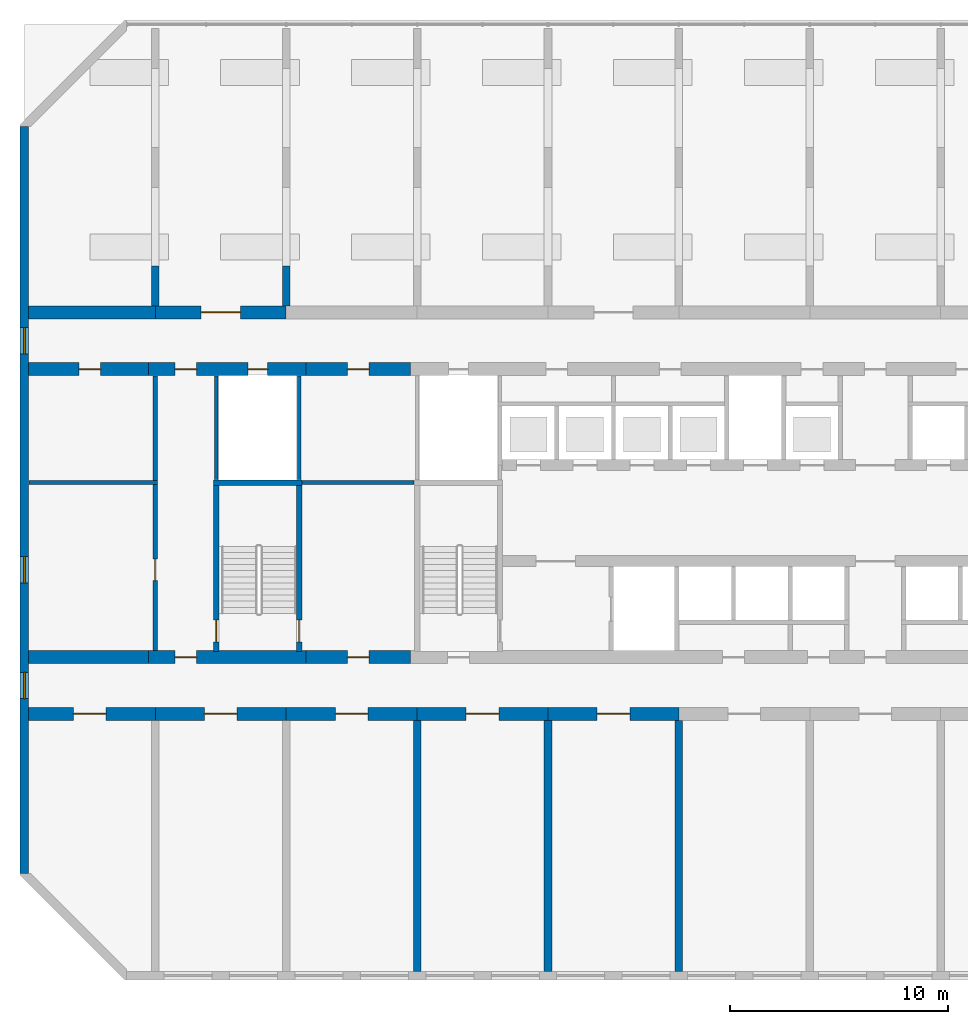
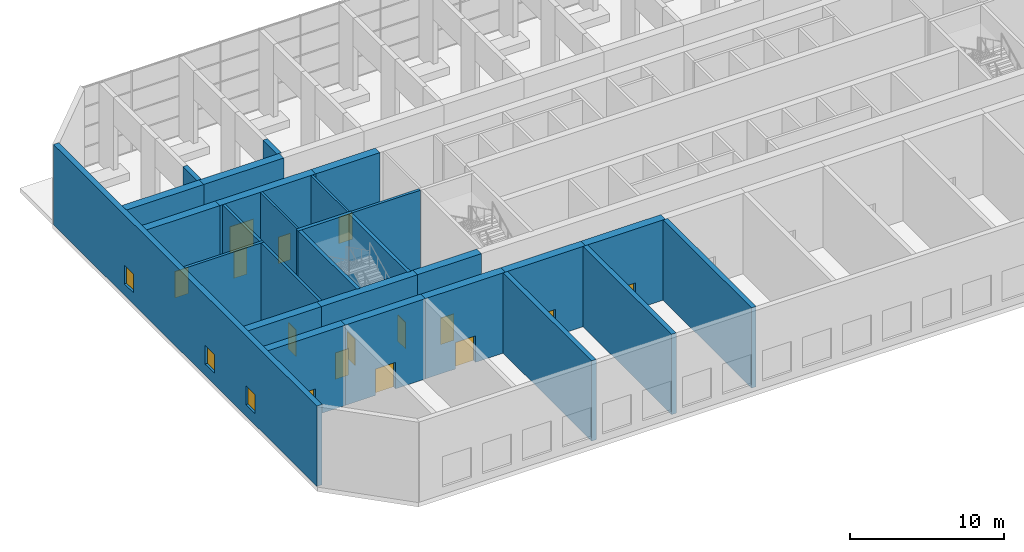
# One storey, part 6 of 16: 28 walls, 15 doors, 3 windows, 18 openings.
"""IFC4 building model written with IfcOpenShell, lengths in metres."""

from ifc_helpers import new_model, si_unit, direction, frame, frame_2d, origin, place, context, subcontext, project, spatial, rectangle, extrude, material, layer, layer_set, type_object, element, fill, save


model = new_model("IFC4")

# Units and contexts
model_context = context("Model", 3, precision=1e-05, world=origin(), true_north=direction((0.0, 1.0)))
body_context = subcontext(model_context, "Body", "Model", "MODEL_VIEW")
ifc_project = project(units=[si_unit("LENGTHUNIT", "METRE"), si_unit("AREAUNIT", "SQUARE_METRE"), si_unit("VOLUMEUNIT", "CUBIC_METRE"), si_unit("PLANEANGLEUNIT", "RADIAN"), si_unit("MASSUNIT", "GRAM", prefix="KILO")], contexts=[model_context])

# Site, building, storey
site_placement = place(None, origin())
site = spatial("IfcSite", under=ifc_project, at=site_placement, CompositionType="ELEMENT")
building_placement = place(site_placement, origin())
building = spatial("IfcBuilding", under=site, at=building_placement, Name="Poui Terraces", CompositionType="ELEMENT")
storey_placement = place(building_placement, frame((0.0, 0.0, 115.800048828125)))
storey = spatial("IfcBuildingStorey", under=building, at=storey_placement, Name="L32", CompositionType="ELEMENT", Elevation=115.800048828125)

# Wall, opening, door
ifc_material_1 = material(Name="Concrete 65 MPa", Category="concrete")
ifc_layer_1 = layer(ifc_material_1, 0.60009765625)
ifc_layer_set_1 = layer_set([ifc_layer_1], Name="Concrete 65 MPa")
wall_type_1 = type_object("IfcWallType", Name="BELT WALL 600 65MPa", PredefinedType="SHEAR", material=ifc_layer_set_1)
wall_1_placement = place(storey_placement, frame((12.199951171875, 12.0, 0.0), z_axis=(0.0, 0.0, 1.0), x_axis=(1.0, 0.0, 0.0)))
wall_1 = element("IfcWall", 1, at=wall_1_placement, inside=storey, type_object=wall_type_1, Name="BELT WALL LINE B BAY 1", PredefinedType="SHEAR", context=body_context, shape_type="SweptSolid", body=[
    extrude(rectangle(XDim=5.800048828125, YDim=0.60009765625, at=frame_2d((2.89990234375, 0.0))), origin(), (0.0, 0.0, 1.0), 6.369873046875),
])
opening_1_placement = place(wall_1_placement, frame((2.050048828125, 0.0, 0.0)))
opening_1 = element("IfcOpeningElement", 2, at=opening_1_placement, cuts=wall_1, Name="Opening FDP", PredefinedType="OPENING", context=body_context, shape_type="SweptSolid", body=[
    extrude(rectangle(XDim=1.5, YDim=2.10009765625, at=frame_2d((0.75, 1.050048828125))), frame((0.0, 0.31005859375, 0.0), z_axis=(0.0, -1.0, 0.0), x_axis=(1.0, 0.0, 0.0)), (0.0, 0.0, 1.0), 0.6201171875),
])
ifc_material_2 = material(Name="Steel fire door", Category="steel")
door_type_1 = type_object("IfcDoorType", Name="PLANT ROOM DOOR PAIR 1500 X 2100", OperationType="DOUBLE_DOOR_SINGLE_SWING", PredefinedType="DOOR", material=ifc_material_2)
door_1_placement = place(opening_1_placement, origin())
door_1 = element("IfcDoor", 3, at=door_1_placement, inside=storey, type_object=door_type_1, Name="PLANT ROOM DOOR PAIR 022", OperationType="DOUBLE_DOOR_SINGLE_SWING", OverallHeight=2.10009765625, OverallWidth=1.5, PredefinedType="DOOR", context=body_context, shape_type="SweptSolid", body=[
    extrude(rectangle(XDim=1.5, YDim=2.10009765625, at=frame_2d((0.75, 1.050048828125))), frame((0.0, 0.02490234375, 0.0), z_axis=(0.0, -1.0, 0.0), x_axis=(1.0, 0.0, 0.0)), (0.0, 0.0, 1.0), 0.050048828125),
])
fill(opening_1, door_1)

wall_2_placement = place(storey_placement, frame((18.0, 12.0, 0.0), z_axis=(0.0, 0.0, 1.0), x_axis=(1.0, 0.0, 0.0)))
wall_2 = element("IfcWall", 4, at=wall_2_placement, inside=storey, type_object=wall_type_1, Name="BELT WALL LINE B BAY 2", PredefinedType="SHEAR", context=body_context, shape_type="SweptSolid", body=[
    extrude(rectangle(XDim=6.0, YDim=0.60009765625, at=frame_2d((3.0, 0.0))), origin(), (0.0, 0.0, 1.0), 6.369873046875),
])
opening_2_placement = place(wall_2_placement, frame((2.25, 0.0, 0.0)))
opening_2 = element("IfcOpeningElement", 5, at=opening_2_placement, cuts=wall_2, Name="Opening FDP", PredefinedType="OPENING", context=body_context, shape_type="SweptSolid", body=[
    extrude(rectangle(XDim=1.5, YDim=2.10009765625, at=frame_2d((0.75, 1.050048828125))), frame((0.0, 0.31005859375, 0.0), z_axis=(0.0, -1.0, 0.0), x_axis=(1.0, 0.0, 0.0)), (0.0, 0.0, 1.0), 0.6201171875),
])
door_2_placement = place(opening_2_placement, origin())
door_2 = element("IfcDoor", 6, at=door_2_placement, inside=storey, type_object=door_type_1, Name="PLANT ROOM DOOR PAIR 024", OperationType="DOUBLE_DOOR_SINGLE_SWING", OverallHeight=2.10009765625, OverallWidth=1.5, PredefinedType="DOOR", context=body_context, shape_type="SweptSolid", body=[
    extrude(rectangle(XDim=1.5, YDim=2.10009765625, at=frame_2d((0.75, 1.050048828125))), frame((0.0, 0.02490234375, 0.0), z_axis=(0.0, -1.0, 0.0), x_axis=(1.0, 0.0, 0.0)), (0.0, 0.0, 1.0), 0.050048828125),
])
fill(opening_2, door_2)

wall_3_placement = place(storey_placement, frame((24.0, 12.0, 0.0), z_axis=(0.0, 0.0, 1.0), x_axis=(1.0, 0.0, 0.0)))
wall_3 = element("IfcWall", 7, at=wall_3_placement, inside=storey, type_object=wall_type_1, Name="BELT WALL LINE B BAY 3", PredefinedType="SHEAR", context=body_context, shape_type="SweptSolid", body=[
    extrude(rectangle(XDim=6.0, YDim=0.60009765625, at=frame_2d((3.0, 0.0))), origin(), (0.0, 0.0, 1.0), 6.369873046875),
])
opening_3_placement = place(wall_3_placement, frame((2.25, 0.0, 0.0)))
opening_3 = element("IfcOpeningElement", 8, at=opening_3_placement, cuts=wall_3, Name="Opening FDP", PredefinedType="OPENING", context=body_context, shape_type="SweptSolid", body=[
    extrude(rectangle(XDim=1.5, YDim=2.10009765625, at=frame_2d((0.75, 1.050048828125))), frame((0.0, 0.31005859375, 0.0), z_axis=(0.0, -1.0, 0.0), x_axis=(1.0, 0.0, 0.0)), (0.0, 0.0, 1.0), 0.6201171875),
])
door_3_placement = place(opening_3_placement, origin())
door_3 = element("IfcDoor", 9, at=door_3_placement, inside=storey, type_object=door_type_1, Name="PLANT ROOM DOOR PAIR 025", OperationType="DOUBLE_DOOR_SINGLE_SWING", OverallHeight=2.10009765625, OverallWidth=1.5, PredefinedType="DOOR", context=body_context, shape_type="SweptSolid", body=[
    extrude(rectangle(XDim=1.5, YDim=2.10009765625, at=frame_2d((0.75, 1.050048828125))), frame((0.0, 0.02490234375, 0.0), z_axis=(0.0, -1.0, 0.0), x_axis=(1.0, 0.0, 0.0)), (0.0, 0.0, 1.0), 0.050048828125),
])
fill(opening_3, door_3)

wall_4_placement = place(storey_placement, frame((30.0, 12.0, 0.0), z_axis=(0.0, 0.0, 1.0), x_axis=(1.0, 0.0, 0.0)))
wall_4 = element("IfcWall", 10, at=wall_4_placement, inside=storey, type_object=wall_type_1, Name="BELT WALL LINE B BAY 4", PredefinedType="SHEAR", context=body_context, shape_type="SweptSolid", body=[
    extrude(rectangle(XDim=6.0, YDim=0.60009765625, at=frame_2d((3.0, 0.0))), origin(), (0.0, 0.0, 1.0), 6.369873046875),
])
opening_4_placement = place(wall_4_placement, frame((2.25, 0.0, 0.0)))
opening_4 = element("IfcOpeningElement", 11, at=opening_4_placement, cuts=wall_4, Name="Opening FDP", PredefinedType="OPENING", context=body_context, shape_type="SweptSolid", body=[
    extrude(rectangle(XDim=1.5, YDim=2.10009765625, at=frame_2d((0.75, 1.050048828125))), frame((0.0, 0.31005859375, 0.0), z_axis=(0.0, -1.0, 0.0), x_axis=(1.0, 0.0, 0.0)), (0.0, 0.0, 1.0), 0.6201171875),
])
door_4_placement = place(opening_4_placement, origin())
door_4 = element("IfcDoor", 12, at=door_4_placement, inside=storey, type_object=door_type_1, Name="PLANT ROOM DOOR PAIR 028", OperationType="DOUBLE_DOOR_SINGLE_SWING", OverallHeight=2.10009765625, OverallWidth=1.5, PredefinedType="DOOR", context=body_context, shape_type="SweptSolid", body=[
    extrude(rectangle(XDim=1.5, YDim=2.10009765625, at=frame_2d((0.75, 1.050048828125))), frame((0.0, 0.02490234375, 0.0), z_axis=(0.0, -1.0, 0.0), x_axis=(1.0, 0.0, 0.0)), (0.0, 0.0, 1.0), 0.050048828125),
])
fill(opening_4, door_4)

wall_5_placement = place(storey_placement, frame((36.0, 12.0, 0.0), z_axis=(0.0, 0.0, 1.0), x_axis=(1.0, 0.0, 0.0)))
wall_5 = element("IfcWall", 13, at=wall_5_placement, inside=storey, type_object=wall_type_1, Name="BELT WALL LINE B BAY 5", PredefinedType="SHEAR", context=body_context, shape_type="SweptSolid", body=[
    extrude(rectangle(XDim=6.0, YDim=0.60009765625, at=frame_2d((3.0, 0.0))), origin(), (0.0, 0.0, 1.0), 6.369873046875),
])
opening_5_placement = place(wall_5_placement, frame((2.25, 0.0, 0.0)))
opening_5 = element("IfcOpeningElement", 14, at=opening_5_placement, cuts=wall_5, Name="Opening FDP", PredefinedType="OPENING", context=body_context, shape_type="SweptSolid", body=[
    extrude(rectangle(XDim=1.5, YDim=2.10009765625, at=frame_2d((0.75, 1.050048828125))), frame((0.0, 0.31005859375, 0.0), z_axis=(0.0, -1.0, 0.0), x_axis=(1.0, 0.0, 0.0)), (0.0, 0.0, 1.0), 0.6201171875),
])
door_5_placement = place(opening_5_placement, origin())
door_5 = element("IfcDoor", 15, at=door_5_placement, inside=storey, type_object=door_type_1, Name="PLANT ROOM DOOR PAIR 029", OperationType="DOUBLE_DOOR_SINGLE_SWING", OverallHeight=2.10009765625, OverallWidth=1.5, PredefinedType="DOOR", context=body_context, shape_type="SweptSolid", body=[
    extrude(rectangle(XDim=1.5, YDim=2.10009765625, at=frame_2d((0.75, 1.050048828125))), frame((0.0, 0.02490234375, 0.0), z_axis=(0.0, -1.0, 0.0), x_axis=(1.0, 0.0, 0.0)), (0.0, 0.0, 1.0), 0.050048828125),
])
fill(opening_5, door_5)

# Wall
wall_6_placement = place(storey_placement, frame((12.199951171875, 30.39990234375, 0.0), z_axis=(0.0, 0.0, 1.0), x_axis=(1.0, 0.0, 0.0)))
element("IfcWall", 16, at=wall_6_placement, inside=storey, type_object=wall_type_1, Name="BELT WALL LINE E BAY 1", PredefinedType="SHEAR", context=body_context, shape_type="SweptSolid", body=[
    extrude(rectangle(XDim=5.800048828125, YDim=0.60009765625, at=frame_2d((2.89990234375, 0.0))), origin(), (0.0, 0.0, 1.0), 6.369873046875),
])

# Wall, opening, door
wall_7_placement = place(storey_placement, frame((18.0, 30.39990234375, 0.0), z_axis=(0.0, 0.0, 1.0), x_axis=(1.0, 0.0, 0.0)))
wall_7 = element("IfcWall", 17, at=wall_7_placement, inside=storey, type_object=wall_type_1, Name="BELT WALL LINE E BAY 2", PredefinedType="SHEAR", context=body_context, shape_type="SweptSolid", body=[
    extrude(rectangle(XDim=6.0, YDim=0.60009765625, at=frame_2d((3.0, 0.0))), origin(), (0.0, 0.0, 1.0), 6.369873046875),
])
opening_6_placement = place(wall_7_placement, frame((2.10009765625, 0.0, 0.0)))
opening_6 = element("IfcOpeningElement", 18, at=opening_6_placement, cuts=wall_7, Name="Opening DD180", PredefinedType="OPENING", context=body_context, shape_type="SweptSolid", body=[
    extrude(rectangle(XDim=1.800048828125, YDim=2.10009765625, at=frame_2d((0.89990234375, 1.050048828125))), frame((0.0, 0.31005859375, 0.0), z_axis=(0.0, -1.0, 0.0), x_axis=(1.0, 0.0, 0.0)), (0.0, 0.0, 1.0), 0.6201171875),
])
door_type_2 = type_object("IfcDoorType", Name="DOUBLE INTERNAL DOOR 1800 X 2100", OperationType="DOUBLE_DOOR_SINGLE_SWING", PredefinedType="DOOR", material=ifc_material_2)
door_6_placement = place(opening_6_placement, frame((1.800048828125, 0.0, 0.0), z_axis=(0.0, 0.0, 1.0), x_axis=(-1.0, 0.0, 0.0)))
door_6 = element("IfcDoor", 19, at=door_6_placement, inside=storey, type_object=door_type_2, Name="DOUBLE INTERNAL DOOR 003", OperationType="DOUBLE_DOOR_SINGLE_SWING", OverallHeight=2.10009765625, OverallWidth=1.800048828125, PredefinedType="DOOR", context=body_context, shape_type="SweptSolid", body=[
    extrude(rectangle(XDim=1.800048828125, YDim=2.10009765625, at=frame_2d((0.89990234375, 1.050048828125))), frame((0.0, 0.02490234375, 0.0), z_axis=(0.0, -1.0, 0.0), x_axis=(1.0, 0.0, 0.0)), (0.0, 0.0, 1.0), 0.050048828125),
])
fill(opening_6, door_6)

# Walls
ifc_layer_2 = layer(ifc_material_1, 0.35009765625)
ifc_layer_set_2 = layer_set([ifc_layer_2], Name="Concrete 65 MPa")
wall_type_2 = type_object("IfcWallType", Name="CROSS WALL 350 65MPa", PredefinedType="SHEAR", material=ifc_layer_set_2)
for number, where, z_axis, x_axis, name in (
    (20, (30.0, 0.199951171875, 0.0), (0.0, 0.0, 1.0), (0.0, 1.0, 0.0), "CROSS WALL LINE 6 SOUTH"),
    (21, (36.0, 0.199951171875, 0.0), (0.0, 0.0, 1.0), (0.0, 1.0, 0.0), "CROSS WALL LINE 7 SOUTH"),
    (22, (42.0, 0.199951171875, 0.0), (0.0, 0.0, 1.0), (0.0, 1.0, 0.0), "CROSS WALL LINE 8 SOUTH"),
):
    element("IfcWall", number, at=place(storey_placement, frame(where, z_axis=z_axis, x_axis=x_axis)), inside=storey, type_object=wall_type_2, Name=name, PredefinedType="SHEAR", context=body_context, shape_type="SweptSolid", body=[
        extrude(rectangle(XDim=11.5, YDim=0.35009765625, at=frame_2d((5.75, 0.0))), origin(), (0.0, 0.0, 1.0), 6.369873046875),
    ])

# Wall, openings, windows
ifc_layer_3 = layer(ifc_material_1, 0.39990234375)
ifc_layer_set_3 = layer_set([ifc_layer_3], Name="Concrete 65 MPa")
wall_type_3 = type_object("IfcWallType", Name="END WALL 400 65MPa", PredefinedType="SHEAR", material=ifc_layer_set_3)
wall_8_placement = place(storey_placement, frame((12.0, 4.682861328125, 0.0), z_axis=(0.0, 0.0, 1.0), x_axis=(0.0, 1.0, 0.0)))
wall_8 = element("IfcWall", 23, at=wall_8_placement, inside=storey, type_object=wall_type_3, Name="END WALL WEST", PredefinedType="SHEAR", context=body_context, shape_type="SweptSolid", body=[
    extrude(rectangle(XDim=34.234375, YDim=0.39990234375, at=frame_2d((17.1171875, 0.0))), origin(), (0.0, 0.0, 1.0), 6.369873046875),
])
opening_7_placement = place(wall_8_placement, frame((23.817138671875, 0.0, 0.89990234375)))
opening_7 = element("IfcOpeningElement", 24, at=opening_7_placement, cuts=wall_8, Name="Opening W2", PredefinedType="OPENING", context=body_context, shape_type="SweptSolid", body=[
    extrude(rectangle(XDim=1.199951171875, YDim=1.5, at=frame_2d((0.60009765625, 0.75))), frame((0.0, 0.2099609375, 0.0), z_axis=(0.0, -1.0, 0.0), x_axis=(1.0, 0.0, 0.0)), (0.0, 0.0, 1.0), 0.419921875),
])
opening_8_placement = place(wall_8_placement, frame((8.01708984375, 0.0, 0.89990234375)))
opening_8 = element("IfcOpeningElement", 25, at=opening_8_placement, cuts=wall_8, Name="Opening W2", PredefinedType="OPENING", context=body_context, shape_type="SweptSolid", body=[
    extrude(rectangle(XDim=1.199951171875, YDim=1.5, at=frame_2d((0.60009765625, 0.75))), frame((0.0, 0.2099609375, 0.0), z_axis=(0.0, -1.0, 0.0), x_axis=(1.0, 0.0, 0.0)), (0.0, 0.0, 1.0), 0.419921875),
])
opening_9_placement = place(wall_8_placement, frame((13.317138671875, 0.0, 0.89990234375)))
opening_9 = element("IfcOpeningElement", 26, at=opening_9_placement, cuts=wall_8, Name="Opening W2", PredefinedType="OPENING", context=body_context, shape_type="SweptSolid", body=[
    extrude(rectangle(XDim=1.199951171875, YDim=1.5, at=frame_2d((0.60009765625, 0.75))), frame((0.0, 0.2099609375, 0.0), z_axis=(0.0, -1.0, 0.0), x_axis=(1.0, 0.0, 0.0)), (0.0, 0.0, 1.0), 0.419921875),
])
ifc_material_3 = material(Name="Clear glass in aluminium frame", Category="aluminium")
window_type = type_object("IfcWindowType", Name="WINDOW 1200X1500", PartitioningType="SINGLE_PANEL", PredefinedType="WINDOW", material=ifc_material_3)
window_1_placement = place(opening_7_placement, origin())
window_1 = element("IfcWindow", 27, at=window_1_placement, inside=storey, type_object=window_type, Name="W2 WINDOW", OverallHeight=1.5, OverallWidth=1.199951171875, PartitioningType="SINGLE_PANEL", PredefinedType="WINDOW", context=body_context, shape_type="SweptSolid", body=[
    extrude(rectangle(XDim=1.199951171875, YDim=1.5, at=frame_2d((0.60009765625, 0.75))), frame((0.0, 0.030029296875, 0.0), z_axis=(0.0, -1.0, 0.0), x_axis=(1.0, 0.0, 0.0)), (0.0, 0.0, 1.0), 0.06005859375),
])
fill(opening_7, window_1)
window_2_placement = place(opening_8_placement, origin())
window_2 = element("IfcWindow", 28, at=window_2_placement, inside=storey, type_object=window_type, Name="W2 WINDOW", OverallHeight=1.5, OverallWidth=1.199951171875, PartitioningType="SINGLE_PANEL", PredefinedType="WINDOW", context=body_context, shape_type="SweptSolid", body=[
    extrude(rectangle(XDim=1.199951171875, YDim=1.5, at=frame_2d((0.60009765625, 0.75))), frame((0.0, 0.030029296875, 0.0), z_axis=(0.0, -1.0, 0.0), x_axis=(1.0, 0.0, 0.0)), (0.0, 0.0, 1.0), 0.06005859375),
])
fill(opening_8, window_2)
window_3_placement = place(opening_9_placement, origin())
window_3 = element("IfcWindow", 29, at=window_3_placement, inside=storey, type_object=window_type, Name="W2 WINDOW", OverallHeight=1.5, OverallWidth=1.199951171875, PartitioningType="SINGLE_PANEL", PredefinedType="WINDOW", context=body_context, shape_type="SweptSolid", body=[
    extrude(rectangle(XDim=1.199951171875, YDim=1.5, at=frame_2d((0.60009765625, 0.75))), frame((0.0, 0.030029296875, 0.0), z_axis=(0.0, -1.0, 0.0), x_axis=(1.0, 0.0, 0.0)), (0.0, 0.0, 1.0), 0.06005859375),
])
fill(opening_9, window_3)

# Wall
ifc_layer_4 = layer(ifc_material_1, 0.60009765625)
ifc_layer_set_4 = layer_set([ifc_layer_4], Name="Concrete 65 MPa")
wall_type_4 = type_object("IfcWallType", Name="OUTRIGGER WALL 600 65MPa", PredefinedType="SHEAR", material=ifc_layer_set_4)
wall_9_placement = place(storey_placement, frame((12.199951171875, 14.60009765625, 0.0), z_axis=(0.0, 0.0, 1.0), x_axis=(1.0, 0.0, 0.0)))
element("IfcWall", 30, at=wall_9_placement, inside=storey, type_object=wall_type_4, Name="OUTRIGGER WALL LINE C W1", PredefinedType="SHEAR", context=body_context, shape_type="SweptSolid", body=[
    extrude(rectangle(XDim=5.5, YDim=0.60009765625, at=frame_2d((2.75, 0.0))), origin(), (0.0, 0.0, 1.0), 6.369873046875),
])

# Wall, opening, door
wall_10_placement = place(storey_placement, frame((24.89990234375, 14.60009765625, 0.0), z_axis=(0.0, 0.0, 1.0), x_axis=(1.0, 0.0, 0.0)))
wall_10 = element("IfcWall", 31, at=wall_10_placement, inside=storey, type_object=wall_type_4, Name="OUTRIGGER WALL LINE C W2", PredefinedType="SHEAR", context=body_context, shape_type="SweptSolid", body=[
    extrude(rectangle(XDim=4.800048828125, YDim=0.60009765625, at=frame_2d((2.39990234375, 0.0))), origin(), (0.0, 0.0, 1.0), 6.369873046875),
])
opening_10_placement = place(wall_10_placement, frame((1.89990234375, 0.0, 0.0)))
opening_10 = element("IfcOpeningElement", 32, at=opening_10_placement, cuts=wall_10, Name="Opening FDRF", PredefinedType="OPENING", context=body_context, shape_type="SweptSolid", body=[
    extrude(rectangle(XDim=1.0, YDim=2.10009765625, at=frame_2d((0.5, 1.050048828125))), frame((0.0, 0.31005859375, 0.0), z_axis=(0.0, -1.0, 0.0), x_axis=(1.0, 0.0, 0.0)), (0.0, 0.0, 1.0), 0.6201171875),
])
door_type_3 = type_object("IfcDoorType", Name="REFUGE AREA DOOR 1000 X 2100", OperationType="NOTDEFINED", PredefinedType="DOOR", material=ifc_material_2)
door_7_placement = place(opening_10_placement, frame((1.0, 0.0, 0.0), z_axis=(0.0, 0.0, 1.0), x_axis=(-1.0, 0.0, 0.0)))
door_7 = element("IfcDoor", 33, at=door_7_placement, inside=storey, type_object=door_type_3, Name="REFUGE AREA DOOR 026", OperationType="SINGLE_SWING_RIGHT", OverallHeight=2.10009765625, OverallWidth=1.0, PredefinedType="DOOR", context=body_context, shape_type="SweptSolid", body=[
    extrude(rectangle(XDim=1.0, YDim=2.10009765625, at=frame_2d((0.5, 1.050048828125))), frame((0.0, 0.02490234375, 0.0), z_axis=(0.0, -1.0, 0.0), x_axis=(1.0, 0.0, 0.0)), (0.0, 0.0, 1.0), 0.050048828125),
])
fill(opening_10, door_7)

wall_11_placement = place(storey_placement, frame((12.199951171875, 27.800048828125, 0.0), z_axis=(0.0, 0.0, 1.0), x_axis=(1.0, 0.0, 0.0)))
wall_11 = element("IfcWall", 34, at=wall_11_placement, inside=storey, type_object=wall_type_4, Name="OUTRIGGER WALL LINE D W1", PredefinedType="SHEAR", context=body_context, shape_type="SweptSolid", body=[
    extrude(rectangle(XDim=5.5, YDim=0.60009765625, at=frame_2d((2.75, 0.0))), origin(), (0.0, 0.0, 1.0), 6.369873046875),
])
opening_11_placement = place(wall_11_placement, frame((2.300048828125, 0.0, 0.0)))
opening_11 = element("IfcOpeningElement", 35, at=opening_11_placement, cuts=wall_11, Name="Opening FD60", PredefinedType="OPENING", context=body_context, shape_type="SweptSolid", body=[
    extrude(rectangle(XDim=1.0, YDim=2.10009765625, at=frame_2d((0.5, 1.050048828125))), frame((0.0, 0.31005859375, 0.0), z_axis=(0.0, -1.0, 0.0), x_axis=(1.0, 0.0, 0.0)), (0.0, 0.0, 1.0), 0.6201171875),
])
door_type_4 = type_object("IfcDoorType", Name="SERVICE ROOM FIRE DOOR 1000 X 2100", OperationType="NOTDEFINED", PredefinedType="DOOR", material=ifc_material_2)
door_8_placement = place(opening_11_placement, origin())
door_8 = element("IfcDoor", 36, at=door_8_placement, inside=storey, type_object=door_type_4, Name="SERVICE ROOM FIRE DOOR 001", OperationType="SINGLE_SWING_RIGHT", OverallHeight=2.10009765625, OverallWidth=1.0, PredefinedType="DOOR", context=body_context, shape_type="SweptSolid", body=[
    extrude(rectangle(XDim=1.0, YDim=2.10009765625, at=frame_2d((0.5, 1.050048828125))), frame((0.0, 0.02490234375, 0.0), z_axis=(0.0, -1.0, 0.0), x_axis=(1.0, 0.0, 0.0)), (0.0, 0.0, 1.0), 0.050048828125),
])
fill(opening_11, door_8)

wall_12_placement = place(storey_placement, frame((24.89990234375, 27.800048828125, 0.0), z_axis=(0.0, 0.0, 1.0), x_axis=(1.0, 0.0, 0.0)))
wall_12 = element("IfcWall", 37, at=wall_12_placement, inside=storey, type_object=wall_type_4, Name="OUTRIGGER WALL LINE D W2", PredefinedType="SHEAR", context=body_context, shape_type="SweptSolid", body=[
    extrude(rectangle(XDim=4.800048828125, YDim=0.60009765625, at=frame_2d((2.39990234375, 0.0))), origin(), (0.0, 0.0, 1.0), 6.369873046875),
])
opening_12_placement = place(wall_12_placement, frame((1.89990234375, 0.0, 0.0)))
opening_12 = element("IfcOpeningElement", 38, at=opening_12_placement, cuts=wall_12, Name="Opening FD60", PredefinedType="OPENING", context=body_context, shape_type="SweptSolid", body=[
    extrude(rectangle(XDim=1.0, YDim=2.10009765625, at=frame_2d((0.5, 1.050048828125))), frame((0.0, 0.31005859375, 0.0), z_axis=(0.0, -1.0, 0.0), x_axis=(1.0, 0.0, 0.0)), (0.0, 0.0, 1.0), 0.6201171875),
])
door_9_placement = place(opening_12_placement, origin())
door_9 = element("IfcDoor", 39, at=door_9_placement, inside=storey, type_object=door_type_4, Name="SERVICE ROOM FIRE DOOR 005", OperationType="SINGLE_SWING_LEFT", OverallHeight=2.10009765625, OverallWidth=1.0, PredefinedType="DOOR", context=body_context, shape_type="SweptSolid", body=[
    extrude(rectangle(XDim=1.0, YDim=2.10009765625, at=frame_2d((0.5, 1.050048828125))), frame((0.0, 0.02490234375, 0.0), z_axis=(0.0, -1.0, 0.0), x_axis=(1.0, 0.0, 0.0)), (0.0, 0.0, 1.0), 0.050048828125),
])
fill(opening_12, door_9)

# Walls
ifc_layer_5 = layer(ifc_material_1, 0.35009765625)
ifc_layer_set_5 = layer_set([ifc_layer_5], Name="Concrete 65 MPa")
wall_type_5 = type_object("IfcWallType", Name="PIERCED CROSS WALL 350 65MPa", PredefinedType="SHEAR", material=ifc_layer_set_5)
for number, where, z_axis, x_axis, name in (
    (40, (18.0, 30.699951171875, 0.0), (0.0, 0.0, 1.0), (0.0, 1.0, 0.0), "PIER LINE 4 1"),
    (41, (24.0, 30.699951171875, 0.0), (0.0, 0.0, 1.0), (0.0, 1.0, 0.0), "PIER LINE 5 1"),
):
    element("IfcWall", number, at=place(storey_placement, frame(where, z_axis=z_axis, x_axis=x_axis)), inside=storey, type_object=wall_type_5, Name=name, PredefinedType="SHEAR", context=body_context, shape_type="SweptSolid", body=[
        extrude(rectangle(XDim=1.833251953125, YDim=0.35009765625, at=frame_2d((0.91650390625, 0.0))), origin(), (0.0, 0.0, 1.0), 6.369873046875),
    ])
ifc_material_4 = material(Name="Fire-rated masonry wall", Category="masonry")
ifc_layer_6 = layer(ifc_material_4, 0.199951171875)
ifc_layer_set_6 = layer_set([ifc_layer_6], Name="Fire-rated masonry wall")
wall_type_6 = type_object("IfcWallType", Name="PLANT ROOM WALL 200", PredefinedType="PARTITIONING", material=ifc_layer_set_6)
wall_13_placement = place(storey_placement, frame((18.0, 22.699951171875, 0.0), z_axis=(0.0, 0.0, 1.0), x_axis=(0.0, 1.0, 0.0)))
element("IfcWall", 42, at=wall_13_placement, inside=storey, type_object=wall_type_6, Name="PLANT ROOM WALL 200", PredefinedType="PARTITIONING", context=body_context, shape_type="SweptSolid", body=[
    extrude(rectangle(XDim=4.7900390625, YDim=0.199951171875, at=frame_2d((2.39501953125, 0.0))), origin(), (0.0, 0.0, 1.0), 6.369873046875),
])
ifc_layer_7 = layer(ifc_material_4, 0.199951171875)
ifc_layer_set_7 = layer_set([ifc_layer_7], Name="Fire-rated masonry wall")
wall_type_7 = type_object("IfcWallType", Name="REFUGE AREA WALL 200", PredefinedType="PARTITIONING", material=ifc_layer_set_7)
wall_14_placement = place(storey_placement, frame((12.2099609375, 22.60009765625, 0.0), z_axis=(0.0, 0.0, 1.0), x_axis=(1.0, 0.0, 0.0)))
element("IfcWall", 43, at=wall_14_placement, inside=storey, type_object=wall_type_7, Name="REFUGE AREA WALL 200", PredefinedType="PARTITIONING", context=body_context, shape_type="SweptSolid", body=[
    extrude(rectangle(XDim=5.89013671875, YDim=0.199951171875, at=frame_2d((2.945068359375, 0.0))), origin(), (0.0, 0.0, 1.0), 6.369873046875),
])
wall_15_placement = place(storey_placement, frame((24.735107421875, 22.60009765625, 0.0), z_axis=(0.0, 0.0, 1.0), x_axis=(1.0, 0.0, 0.0)))
element("IfcWall", 44, at=wall_15_placement, inside=storey, type_object=wall_type_7, Name="REFUGE AREA WALL 200", PredefinedType="PARTITIONING", context=body_context, shape_type="SweptSolid", body=[
    extrude(rectangle(XDim=5.1298828125, YDim=0.199951171875, at=frame_2d((2.56494140625, 0.0))), origin(), (0.0, 0.0, 1.0), 6.369873046875),
])

# Wall, opening, door
wall_16_placement = place(storey_placement, frame((18.0, 14.909912109375, 0.0), z_axis=(0.0, 0.0, 1.0), x_axis=(0.0, 1.0, 0.0)))
wall_16 = element("IfcWall", 45, at=wall_16_placement, inside=storey, type_object=wall_type_7, Name="REFUGE AREA WALL 200", PredefinedType="PARTITIONING", context=body_context, shape_type="SweptSolid", body=[
    extrude(rectangle(XDim=7.590087890625, YDim=0.199951171875, at=frame_2d((3.794921875, 0.0))), origin(), (0.0, 0.0, 1.0), 6.369873046875),
])
opening_13_placement = place(wall_16_placement, frame((3.18994140625, 0.0, 0.0)))
opening_13 = element("IfcOpeningElement", 46, at=opening_13_placement, cuts=wall_16, Name="Opening FDRF", PredefinedType="OPENING", context=body_context, shape_type="SweptSolid", body=[
    extrude(rectangle(XDim=1.0, YDim=2.10009765625, at=frame_2d((0.5, 1.050048828125))), frame((0.0, 0.10986328125, 0.0), z_axis=(0.0, -1.0, 0.0), x_axis=(1.0, 0.0, 0.0)), (0.0, 0.0, 1.0), 0.219970703125),
])
door_10_placement = place(opening_13_placement, frame((1.0, 0.0, 0.0), z_axis=(0.0, 0.0, 1.0), x_axis=(-1.0, 0.0, 0.0)))
door_10 = element("IfcDoor", 47, at=door_10_placement, inside=storey, type_object=door_type_3, Name="REFUGE AREA DOOR 066", OperationType="SINGLE_SWING_RIGHT", OverallHeight=2.10009765625, OverallWidth=1.0, PredefinedType="DOOR", context=body_context, shape_type="SweptSolid", body=[
    extrude(rectangle(XDim=1.0, YDim=2.10009765625, at=frame_2d((0.5, 1.050048828125))), frame((0.0, 0.02490234375, 0.0), z_axis=(0.0, -1.0, 0.0), x_axis=(1.0, 0.0, 0.0)), (0.0, 0.0, 1.0), 0.050048828125),
])
fill(opening_13, door_10)

# Walls
ifc_material_5 = material(Name="Fire-rated plasterboard riser wall")
ifc_layer_8 = layer(ifc_material_5, 0.14990234375)
ifc_layer_set_8 = layer_set([ifc_layer_8], Name="Fire-rated plasterboard riser wall")
wall_type_8 = type_object("IfcWallType", Name="RISER WALL 150", PredefinedType="PARTITIONING", material=ifc_layer_set_8)
for number, where, z_axis, x_axis, name in (
    (48, (20.800048828125, 22.735107421875, 0.0), (0.0, 0.0, 1.0), (0.0, 1.0, 0.0), "RISER WALL 150"),
    (49, (24.60009765625, 22.735107421875, 0.0), (0.0, 0.0, 1.0), (0.0, 1.0, 0.0), "RISER WALL 150"),
):
    element("IfcWall", number, at=place(storey_placement, frame(where, z_axis=z_axis, x_axis=x_axis)), inside=storey, type_object=wall_type_8, Name=name, PredefinedType="PARTITIONING", context=body_context, shape_type="SweptSolid", body=[
        extrude(rectangle(XDim=4.7548828125, YDim=0.14990234375, at=frame_2d((2.37744140625, 0.0))), origin(), (0.0, 0.0, 1.0), 6.369873046875),
    ])

# Wall, opening, door
ifc_layer_9 = layer(ifc_material_1, 0.60009765625)
ifc_layer_set_9 = layer_set([ifc_layer_9], Name="Concrete 65 MPa")
wall_type_9 = type_object("IfcWallType", Name="SPINE WALL 600 65 MPA", PredefinedType="SOLIDWALL", material=ifc_layer_set_9)
wall_17_placement = place(storey_placement, frame((17.699951171875, 14.60009765625, 0.0), z_axis=(0.0, 0.0, 1.0), x_axis=(1.0, 0.0, 0.0)))
wall_17 = element("IfcWall", 50, at=wall_17_placement, inside=storey, type_object=wall_type_9, Name="SPINE WALL", PredefinedType="SOLIDWALL", context=body_context, shape_type="SweptSolid", body=[
    extrude(rectangle(XDim=7.199951171875, YDim=0.60009765625, at=frame_2d((3.60009765625, 0.0))), origin(), (0.0, 0.0, 1.0), 6.369873046875),
])
opening_14_placement = place(wall_17_placement, frame((1.199951171875, 0.0, 0.0)))
opening_14 = element("IfcOpeningElement", 51, at=opening_14_placement, cuts=wall_17, Name="Opening FDL", PredefinedType="OPENING", context=body_context, shape_type="SweptSolid", body=[
    extrude(rectangle(XDim=1.0, YDim=2.10009765625, at=frame_2d((0.5, 1.050048828125))), frame((0.0, 0.31005859375, 0.0), z_axis=(0.0, -1.0, 0.0), x_axis=(1.0, 0.0, 0.0)), (0.0, 0.0, 1.0), 0.6201171875),
])
door_type_5 = type_object("IfcDoorType", Name="LOBBY FIRE DOOR 1000 X 2100", OperationType="NOTDEFINED", PredefinedType="DOOR", material=ifc_material_2)
door_11_placement = place(opening_14_placement, frame((1.0, 0.0, 0.0), z_axis=(0.0, 0.0, 1.0), x_axis=(-1.0, 0.0, 0.0)))
door_11 = element("IfcDoor", 52, at=door_11_placement, inside=storey, type_object=door_type_5, Name="LOBBY FIRE DOOR 023", OperationType="SINGLE_SWING_RIGHT", OverallHeight=2.10009765625, OverallWidth=1.0, PredefinedType="DOOR", context=body_context, shape_type="SweptSolid", body=[
    extrude(rectangle(XDim=1.0, YDim=2.10009765625, at=frame_2d((0.5, 1.050048828125))), frame((0.0, 0.02490234375, 0.0), z_axis=(0.0, -1.0, 0.0), x_axis=(1.0, 0.0, 0.0)), (0.0, 0.0, 1.0), 0.050048828125),
])
fill(opening_14, door_11)

# Wall, openings, doors
wall_18_placement = place(storey_placement, frame((17.699951171875, 27.800048828125, 0.0), z_axis=(0.0, 0.0, 1.0), x_axis=(1.0, 0.0, 0.0)))
wall_18 = element("IfcWall", 53, at=wall_18_placement, inside=storey, type_object=wall_type_9, Name="SPINE WALL", PredefinedType="SOLIDWALL", context=body_context, shape_type="SweptSolid", body=[
    extrude(rectangle(XDim=7.199951171875, YDim=0.60009765625, at=frame_2d((3.60009765625, 0.0))), origin(), (0.0, 0.0, 1.0), 6.369873046875),
])
opening_15_placement = place(wall_18_placement, frame((1.199951171875, 0.0, 0.0)))
opening_15 = element("IfcOpeningElement", 54, at=opening_15_placement, cuts=wall_18, Name="Opening FDL", PredefinedType="OPENING", context=body_context, shape_type="SweptSolid", body=[
    extrude(rectangle(XDim=1.0, YDim=2.10009765625, at=frame_2d((0.5, 1.050048828125))), frame((0.0, 0.31005859375, 0.0), z_axis=(0.0, -1.0, 0.0), x_axis=(1.0, 0.0, 0.0)), (0.0, 0.0, 1.0), 0.6201171875),
])
opening_16_placement = place(wall_18_placement, frame((4.550048828125, 0.0, 0.0)))
opening_16 = element("IfcOpeningElement", 55, at=opening_16_placement, cuts=wall_18, Name="Opening FDR", PredefinedType="OPENING", context=body_context, shape_type="SweptSolid", body=[
    extrude(rectangle(XDim=0.89990234375, YDim=2.10009765625, at=frame_2d((0.449951171875, 1.050048828125))), frame((0.0, 0.31005859375, 0.0), z_axis=(0.0, -1.0, 0.0), x_axis=(1.0, 0.0, 0.0)), (0.0, 0.0, 1.0), 0.6201171875),
])
door_12_placement = place(opening_15_placement, origin())
door_12 = element("IfcDoor", 56, at=door_12_placement, inside=storey, type_object=door_type_5, Name="LOBBY FIRE DOOR 002", OperationType="SINGLE_SWING_LEFT", OverallHeight=2.10009765625, OverallWidth=1.0, PredefinedType="DOOR", context=body_context, shape_type="SweptSolid", body=[
    extrude(rectangle(XDim=1.0, YDim=2.10009765625, at=frame_2d((0.5, 1.050048828125))), frame((0.0, 0.02490234375, 0.0), z_axis=(0.0, -1.0, 0.0), x_axis=(1.0, 0.0, 0.0)), (0.0, 0.0, 1.0), 0.050048828125),
])
fill(opening_15, door_12)
door_type_6 = type_object("IfcDoorType", Name="RISER CUPBOARD DOOR 900 X 2100", OperationType="NOTDEFINED", PredefinedType="DOOR", material=ifc_material_2)
door_13_placement = place(opening_16_placement, origin())
door_13 = element("IfcDoor", 57, at=door_13_placement, inside=storey, type_object=door_type_6, Name="RISER CUPBOARD DOOR 004", OperationType="SINGLE_SWING_LEFT", OverallHeight=2.10009765625, OverallWidth=0.89990234375, PredefinedType="DOOR", context=body_context, shape_type="SweptSolid", body=[
    extrude(rectangle(XDim=0.89990234375, YDim=2.10009765625, at=frame_2d((0.449951171875, 1.050048828125))), frame((0.0, 0.02490234375, 0.0), z_axis=(0.0, -1.0, 0.0), x_axis=(1.0, 0.0, 0.0)), (0.0, 0.0, 1.0), 0.050048828125),
])
fill(opening_16, door_13)

# Wall, opening, door
ifc_layer_10 = layer(ifc_material_1, 0.25)
ifc_layer_set_10 = layer_set([ifc_layer_10], Name="Concrete 65 MPa")
wall_type_10 = type_object("IfcWallType", Name="STAIR CORE WALL 250 65 MPA", PredefinedType="SOLIDWALL", material=ifc_layer_set_10)
wall_19_placement = place(storey_placement, frame((20.800048828125, 14.85009765625, 0.0), z_axis=(0.0, 0.0, 1.0), x_axis=(0.0, 1.0, 0.0)))
wall_19 = element("IfcWall", 58, at=wall_19_placement, inside=storey, type_object=wall_type_10, Name="STAIR CORE WALL", PredefinedType="SOLIDWALL", context=body_context, shape_type="SweptSolid", body=[
    extrude(rectangle(XDim=7.625, YDim=0.25, at=frame_2d((3.8125, 0.0))), origin(), (0.0, 0.0, 1.0), 6.369873046875),
])
opening_17_placement = place(wall_19_placement, frame((0.449951171875, 0.0, 0.0)))
opening_17 = element("IfcOpeningElement", 59, at=opening_17_placement, cuts=wall_19, Name="Opening FD60S", PredefinedType="OPENING", context=body_context, shape_type="SweptSolid", body=[
    extrude(rectangle(XDim=1.0, YDim=2.10009765625, at=frame_2d((0.5, 1.050048828125))), frame((0.0, 0.135009765625, 0.0), z_axis=(0.0, -1.0, 0.0), x_axis=(1.0, 0.0, 0.0)), (0.0, 0.0, 1.0), 0.27001953125),
])
door_type_7 = type_object("IfcDoorType", Name="STAIR DOOR 1000 X 2100", OperationType="NOTDEFINED", PredefinedType="DOOR", material=ifc_material_2)
door_14_placement = place(opening_17_placement, frame((1.0, 0.0, 0.0), z_axis=(0.0, 0.0, 1.0), x_axis=(-1.0, 0.0, 0.0)))
door_14 = element("IfcDoor", 60, at=door_14_placement, inside=storey, type_object=door_type_7, Name="STAIR DOOR 067", OperationType="SINGLE_SWING_RIGHT", OverallHeight=2.10009765625, OverallWidth=1.0, PredefinedType="DOOR", context=body_context, shape_type="SweptSolid", body=[
    extrude(rectangle(XDim=1.0, YDim=2.10009765625, at=frame_2d((0.5, 1.050048828125))), frame((0.0, 0.02490234375, 0.0), z_axis=(0.0, -1.0, 0.0), x_axis=(1.0, 0.0, 0.0)), (0.0, 0.0, 1.0), 0.050048828125),
])
fill(opening_17, door_14)

wall_20_placement = place(storey_placement, frame((24.60009765625, 14.85009765625, 0.0), z_axis=(0.0, 0.0, 1.0), x_axis=(0.0, 1.0, 0.0)))
wall_20 = element("IfcWall", 61, at=wall_20_placement, inside=storey, type_object=wall_type_10, Name="STAIR CORE WALL", PredefinedType="SOLIDWALL", context=body_context, shape_type="SweptSolid", body=[
    extrude(rectangle(XDim=7.625, YDim=0.25, at=frame_2d((3.8125, 0.0))), origin(), (0.0, 0.0, 1.0), 6.369873046875),
])
opening_18_placement = place(wall_20_placement, frame((0.449951171875, 0.0, 0.0)))
opening_18 = element("IfcOpeningElement", 62, at=opening_18_placement, cuts=wall_20, Name="Opening FDRF", PredefinedType="OPENING", context=body_context, shape_type="SweptSolid", body=[
    extrude(rectangle(XDim=1.0, YDim=2.10009765625, at=frame_2d((0.5, 1.050048828125))), frame((0.0, 0.135009765625, 0.0), z_axis=(0.0, -1.0, 0.0), x_axis=(1.0, 0.0, 0.0)), (0.0, 0.0, 1.0), 0.27001953125),
])
door_15_placement = place(opening_18_placement, origin())
door_15 = element("IfcDoor", 63, at=door_15_placement, inside=storey, type_object=door_type_3, Name="REFUGE AREA DOOR 063", OperationType="SINGLE_SWING_RIGHT", OverallHeight=2.10009765625, OverallWidth=1.0, PredefinedType="DOOR", context=body_context, shape_type="SweptSolid", body=[
    extrude(rectangle(XDim=1.0, YDim=2.10009765625, at=frame_2d((0.5, 1.050048828125))), frame((0.0, 0.02490234375, 0.0), z_axis=(0.0, -1.0, 0.0), x_axis=(1.0, 0.0, 0.0)), (0.0, 0.0, 1.0), 0.050048828125),
])
fill(opening_18, door_15)

# Wall
wall_21_placement = place(storey_placement, frame((20.675048828125, 22.60009765625, 0.0), z_axis=(0.0, 0.0, 1.0), x_axis=(1.0, 0.0, 0.0)))
element("IfcWall", 64, at=wall_21_placement, inside=storey, type_object=wall_type_10, Name="STAIR CORE WALL", PredefinedType="SOLIDWALL", context=body_context, shape_type="SweptSolid", body=[
    extrude(rectangle(XDim=4.050048828125, YDim=0.25, at=frame_2d((2.02490234375, 0.0))), origin(), (0.0, 0.0, 1.0), 6.369873046875),
])

save(model, "model.ifc")
